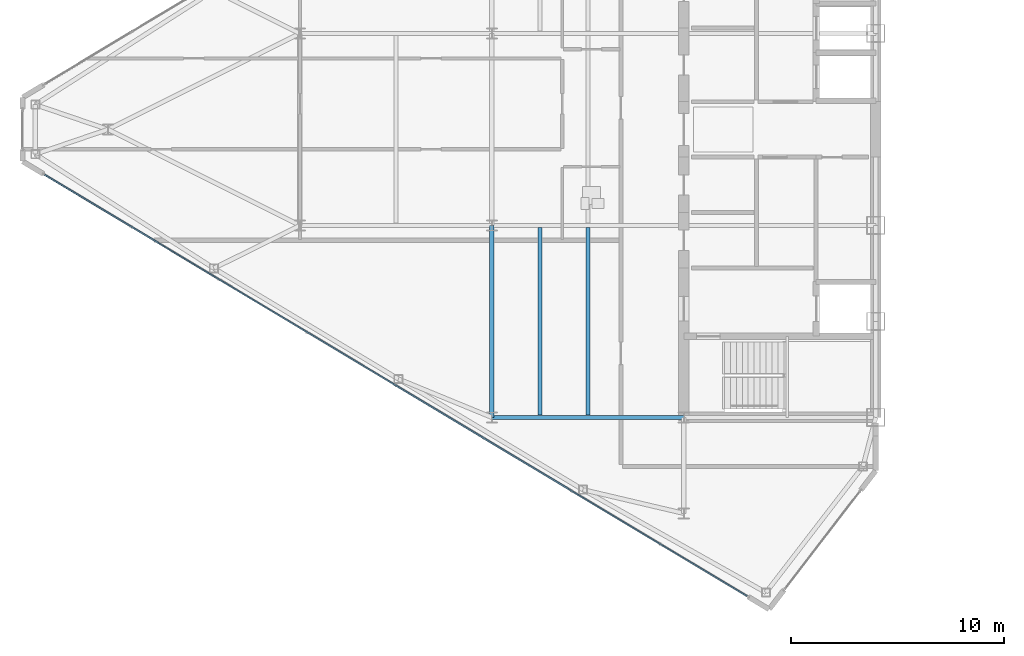
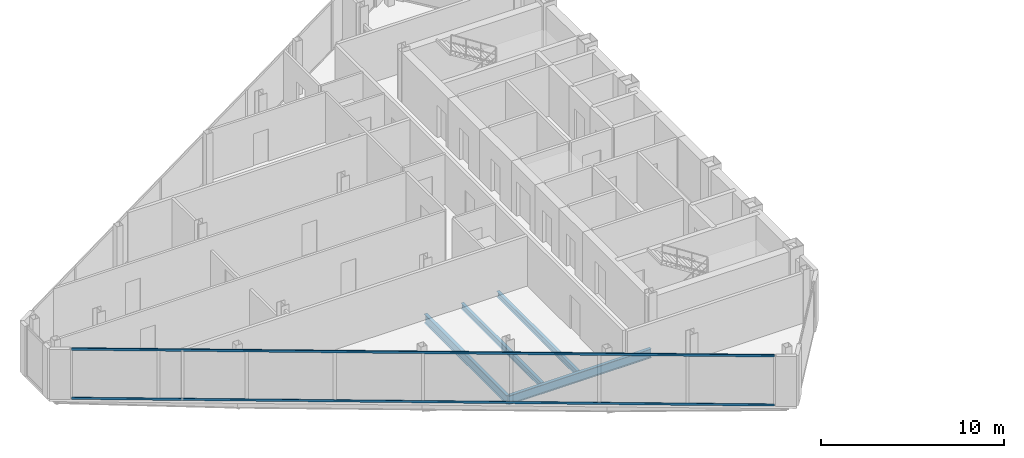
# One storey, part 6 of 26: 4 beams, 2 members, 1 element without a shape of its own.
"""IFC4 building model written with IfcOpenShell, lengths in metres."""

from ifc_helpers import new_model, si_unit, direction, frame, origin, origin_2d, place, context, subcontext, project, spatial, rectangle, i_section, extrude, source, transform, mapped, material, layer, layer_set, material_profile, profile_set, type_object, type_shapes, element, aggregate, save


model = new_model("IFC4")

# Units and contexts
model_context = context("Model", 3, precision=1e-05, world=origin(), true_north=direction((0.0, 1.0)))
body_context = subcontext(model_context, "Body", "Model", "MODEL_VIEW")
ifc_project = project(units=[si_unit("LENGTHUNIT", "METRE"), si_unit("AREAUNIT", "SQUARE_METRE"), si_unit("VOLUMEUNIT", "CUBIC_METRE"), si_unit("PLANEANGLEUNIT", "RADIAN"), si_unit("MASSUNIT", "GRAM", prefix="KILO")], contexts=[model_context])

# Site, building, storey
site_placement = place(None, origin())
site = spatial("IfcSite", under=ifc_project, at=site_placement, CompositionType="ELEMENT")
building_placement = place(site_placement, origin())
building = spatial("IfcBuilding", under=site, at=building_placement, Name="Seokmaru Belvedere", CompositionType="ELEMENT")
storey_placement = place(building_placement, frame((0.0, 0.0, 221.10009765625)))
storey = spatial("IfcBuildingStorey", under=building, at=storey_placement, Name="L59", CompositionType="ELEMENT", Elevation=221.10009765625)

# Beams
ifc_material_1 = material(Name="Steel SM355 (355 MPa)", Category="steel")
ifc_material_profile_1 = material_profile(ifc_material_1, i_section(OverallWidth=0.199951171875, OverallDepth=0.60009765625, WebThickness=0.010986328125, FlangeThickness=0.01708984375, at=origin_2d()), Name="H-600x200x11x17")
ifc_profile_set_1 = profile_set([ifc_material_profile_1], Name="Steel SM355 (355 MPa)")
beam_type_1 = type_object("IfcBeamType", Name="Primary Floor Girder H-600", PredefinedType="BEAM", material=ifc_profile_set_1)
shared_shape_1 = source(origin(), body_context, "Body", "SweptSolid", [
    extrude(i_section(OverallWidth=0.199951171875, OverallDepth=0.60009765625, WebThickness=0.010986328125, FlangeThickness=0.01708984375, at=origin_2d()), origin(), (0.0, 0.0, 1.0), 9.0),
])
type_shapes(beam_type_1, [shared_shape_1])
for number, where, z_axis, x_axis, name in (
    (1, (-45.5, -13.5, -0.52001953125), (0.0, 1.0, 0.0), (-1.0, 0.0, 0.0), "L59 W Interior Grid Girder 1"),
    (2, (-45.5, -13.5, -0.52001953125), (1.0, 0.0, 0.0), (0.0, 1.0, 0.0), "L59 W Wing Primary Girder 1"),
):
    element("IfcBeam", number, at=place(storey_placement, frame(where, z_axis=z_axis, x_axis=x_axis)), inside=storey, type_object=beam_type_1, Name=name, PredefinedType="BEAM", context=body_context, shape_type="MappedRepresentation", body=[
        mapped(shared_shape_1, transform((0.0, 0.0, 0.0), scale=1.0)),
    ])
ifc_material_profile_2 = material_profile(ifc_material_1, i_section(OverallWidth=0.18505859375, OverallDepth=0.389892578125, WebThickness=0.008056640625, FlangeThickness=0.011962890625, at=origin_2d()), Name="H-390x185x8x12")
ifc_profile_set_2 = profile_set([ifc_material_profile_2], Name="Steel SM355 (355 MPa)")
beam_type_2 = type_object("IfcBeamType", Name="Secondary Floor Joist H-350", PredefinedType="JOIST", material=ifc_profile_set_2)
shared_shape_2 = source(origin(), body_context, "Body", "SweptSolid", [
    extrude(i_section(OverallWidth=0.18505859375, OverallDepth=0.389892578125, WebThickness=0.008056640625, FlangeThickness=0.011962890625, at=origin_2d()), origin(), (0.0, 0.0, 1.0), 8.7900390625),
])
type_shapes(beam_type_2, [shared_shape_2])
for number, where, z_axis, x_axis, name in (
    (3, (-43.25, -13.39501953125, -0.4150390625), (0.0, 1.0, 0.0), (-1.0, 0.0, 0.0), "L59 W Wing Inner Secondary Joist 1"),
    (4, (-41.0, -13.39501953125, -0.4150390625), (0.0, 1.0, 0.0), (-1.0, 0.0, 0.0), "L59 W Secondary Floor Joist 1"),
):
    element("IfcBeam", number, at=place(storey_placement, frame(where, z_axis=z_axis, x_axis=x_axis)), inside=storey, type_object=beam_type_2, Name=name, PredefinedType="JOIST", context=body_context, shape_type="MappedRepresentation", body=[
        mapped(shared_shape_2, transform((0.0, 0.0, 0.0), scale=1.0)),
    ])

# Curtain wall, members
ifc_material_2 = material(Name="Bronze Triple Insulating Glass", Category="glass")
ifc_layer = layer(ifc_material_2, 0.179931640625)
ifc_layer_set = layer_set([ifc_layer], Name="Bronze Triple Insulating Glass")
curtain_wall_type = type_object("IfcCurtainWallType", Name="High-Rise Wind-Corner Curtain Wall System CW-5", PredefinedType="NOTDEFINED", material=ifc_layer_set)
curtain_wall_placement = place(storey_placement, origin())
curtain_wall = element("IfcCurtainWall", 5, at=curtain_wall_placement, inside=storey, type_object=curtain_wall_type, Name="L59 Curtain Wall WF5", PredefinedType="NOTDEFINED")
ifc_material_3 = material(Name="Anodised Bronze Aluminium", Category="aluminium")
ifc_material_profile_3 = material_profile(ifc_material_3, rectangle(XDim=0.06494140625, YDim=0.14990234375, at=origin_2d()), Name="CW-T-65x150")
ifc_profile_set_3 = profile_set([ifc_material_profile_3], Name="Anodised Bronze Aluminium")
member_type = type_object("IfcMemberType", Name="Bronze Unitised Transom 65x150", PredefinedType="USERDEFINED", material=ifc_profile_set_3)
shared_shape_3 = source(origin(), body_context, "Body", "SweptSolid", [
    extrude(rectangle(XDim=0.06494140625, YDim=0.14990234375, at=origin_2d()), origin(), (0.0, 0.0, 1.0), 38.386962890625),
])
type_shapes(member_type, [shared_shape_3])
member_1_placement = place(storey_placement, frame((-66.458251953125, -2.125, 0.032470703125), z_axis=(0.85749180336, -0.514497626011, 0.0), x_axis=(0.514497626011, 0.85749180336, 0.0)))
member_1 = element("IfcMember", 6, at=member_1_placement, type_object=member_type, Name="CW:L59:WF5 Continuous Transom 1", ObjectType="TRANSOM", PredefinedType="USERDEFINED", context=body_context, shape_type="MappedRepresentation", body=[
    mapped(shared_shape_3, transform((0.0, 0.0, 0.0), scale=1.0)),
])
member_2_placement = place(storey_placement, frame((-66.458251953125, -2.125, 3.307373046875), z_axis=(0.85749180336, -0.514497626011, 0.0), x_axis=(0.514497626011, 0.85749180336, 0.0)))
member_2 = element("IfcMember", 7, at=member_2_placement, type_object=member_type, Name="CW:L59:WF5 Continuous Transom 2", ObjectType="TRANSOM", PredefinedType="USERDEFINED", context=body_context, shape_type="MappedRepresentation", body=[
    mapped(shared_shape_3, transform((0.0, 0.0, 0.0), scale=1.0)),
])
aggregate(curtain_wall, [member_1, member_2])

save(model, "model.ifc")
